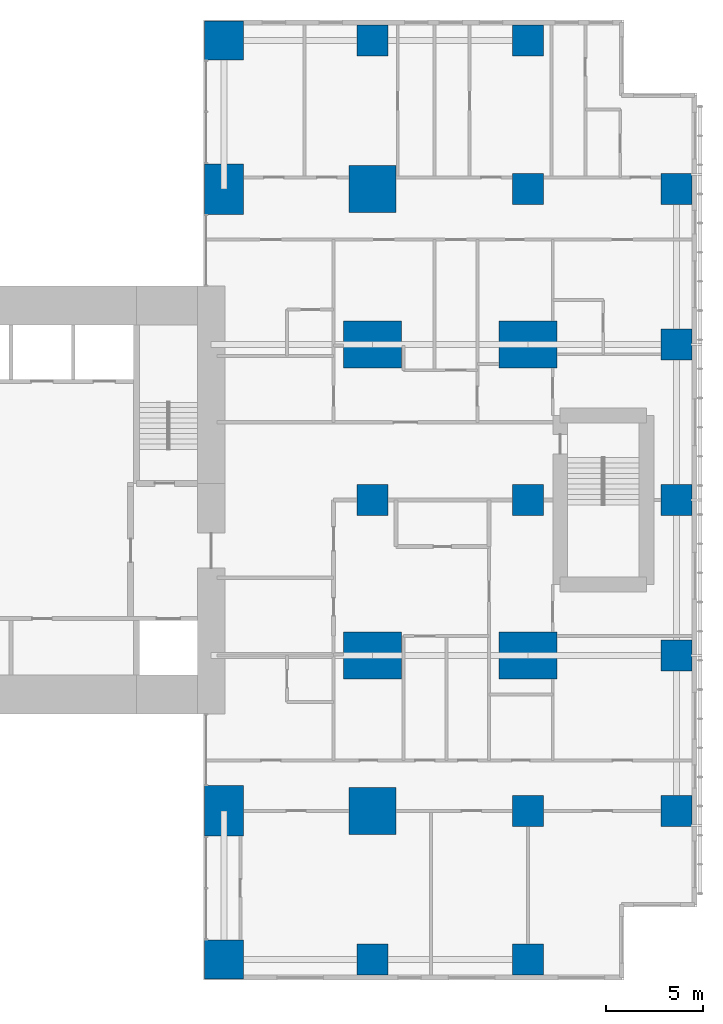
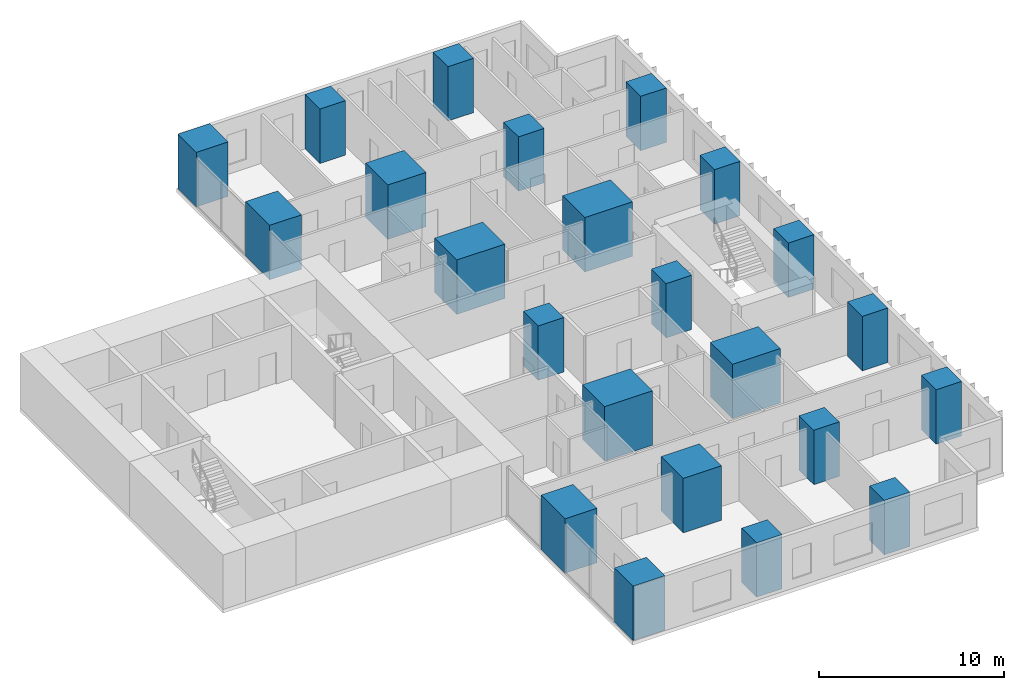
# One storey, part 1 of 12: 23 columns.
"""IFC4 building model written with IfcOpenShell, lengths in metres."""

from ifc_helpers import new_model, si_unit, direction, frame, origin, origin_2d, place, context, subcontext, project, spatial, rectangle, extrude, material, material_profile, profile_set, type_object, element, save


model = new_model("IFC4")

# Units and contexts
model_context = context("Model", 3, precision=1e-05, world=origin(), true_north=direction((0.0, 1.0)))
body_context = subcontext(model_context, "Body", "Model", "MODEL_VIEW")
ifc_project = project(units=[si_unit("LENGTHUNIT", "METRE"), si_unit("AREAUNIT", "SQUARE_METRE"), si_unit("VOLUMEUNIT", "CUBIC_METRE"), si_unit("PLANEANGLEUNIT", "RADIAN"), si_unit("MASSUNIT", "GRAM", prefix="KILO")], contexts=[model_context])

# Site, building, storey
site_placement = place(None, origin())
site = spatial("IfcSite", under=ifc_project, at=site_placement, CompositionType="ELEMENT")
building_placement = place(site_placement, origin())
building = spatial("IfcBuilding", under=site, at=building_placement, Name="Cleftline Residences", CompositionType="ELEMENT")
storey_placement = place(building_placement, frame((0.0, 0.0, 273.60009765625)))
storey = spatial("IfcBuildingStorey", under=building, at=storey_placement, Name="L72", CompositionType="ELEMENT", Elevation=273.60009765625)

# Columns
ifc_material_1 = material(Name="Concrete B70", Category="concrete")
ifc_material_profile_1 = material_profile(ifc_material_1, rectangle(XDim=1.60009765625, YDim=1.60009765625, at=origin_2d()))
ifc_profile_set_1 = profile_set([ifc_material_profile_1], Name="Concrete B70")
column_type_1 = type_object("IfcColumnType", Name="COLUMN RC1600X1600", PredefinedType="COLUMN", material=ifc_profile_set_1)
for number, where, z_axis, x_axis, name in (
    (1, (50.0, 0.35009765625, 0.0), (0.0, 0.0, 1.0), (1.0, 0.0, 0.0), "Column C/9"),
    (2, (50.0, 24.0, 0.0), (0.0, 0.0, 1.0), (1.0, 0.0, 0.0), "Column F/9"),
    (3, (50.0, 47.64990234375, 0.0), (0.0, 0.0, 1.0), (1.0, 0.0, 0.0), "Column J/9"),
    (4, (58.0, 0.35009765625, 0.0), (0.0, 0.0, 1.0), (1.0, 0.0, 0.0), "Column C/10"),
    (5, (58.0, 8.0, 0.0), (0.0, 0.0, 1.0), (1.0, 0.0, 0.0), "Column D/10"),
    (6, (58.0, 24.0, 0.0), (0.0, 0.0, 1.0), (1.0, 0.0, 0.0), "Column F/10"),
    (7, (58.0, 40.0, 0.0), (0.0, 0.0, 1.0), (1.0, 0.0, 0.0), "Column H/10"),
    (8, (58.0, 47.64990234375, 0.0), (0.0, 0.0, 1.0), (1.0, 0.0, 0.0), "Column J/10"),
    (9, (65.64990234375, 8.0, 0.0), (0.0, 0.0, 1.0), (1.0, 0.0, 0.0), "Column D/11"),
    (10, (65.64990234375, 16.0, 0.0), (0.0, 0.0, 1.0), (1.0, 0.0, 0.0), "Column E/11"),
    (11, (65.64990234375, 24.0, 0.0), (0.0, 0.0, 1.0), (1.0, 0.0, 0.0), "Column F/11"),
    (12, (65.64990234375, 32.0, 0.0), (0.0, 0.0, 1.0), (1.0, 0.0, 0.0), "Column G/11"),
    (13, (65.64990234375, 40.0, 0.0), (0.0, 0.0, 1.0), (1.0, 0.0, 0.0), "Column H/11"),
):
    element("IfcColumn", number, at=place(storey_placement, frame(where, z_axis=z_axis, x_axis=x_axis)), inside=storey, type_object=column_type_1, Name=name, PredefinedType="COLUMN", context=body_context, shape_type="SweptSolid", body=[
        extrude(rectangle(XDim=1.60009765625, YDim=1.60009765625, at=origin_2d()), origin(), (0.0, 0.0, 1.0), 3.599853515625),
    ])
ifc_material_2 = material(Name="Concrete B70", Category="concrete")
ifc_material_profile_2 = material_profile(ifc_material_2, rectangle(XDim=2.0, YDim=2.0, at=origin_2d()))
ifc_profile_set_2 = profile_set([ifc_material_profile_2], Name="Concrete B70")
column_type_2 = type_object("IfcColumnType", Name="COLUMN RC2000X2000", PredefinedType="COLUMN", material=ifc_profile_set_2)
for number, where, z_axis, x_axis, name in (
    (14, (42.35009765625, 0.35009765625, 0.0), (0.0, 0.0, 1.0), (1.0, 0.0, 0.0), "Column C/8"),
    (15, (42.35009765625, 47.64990234375, 0.0), (0.0, 0.0, 1.0), (1.0, 0.0, 0.0), "Column J/8"),
):
    element("IfcColumn", number, at=place(storey_placement, frame(where, z_axis=z_axis, x_axis=x_axis)), inside=storey, type_object=column_type_2, Name=name, PredefinedType="COLUMN", context=body_context, shape_type="SweptSolid", body=[
        extrude(rectangle(XDim=2.0, YDim=2.0, at=origin_2d()), origin(), (0.0, 0.0, 1.0), 3.599853515625),
    ])
ifc_material_3 = material(Name="Concrete B70", Category="concrete")
ifc_material_profile_3 = material_profile(ifc_material_3, rectangle(XDim=2.0, YDim=2.60009765625, at=origin_2d()))
ifc_profile_set_3 = profile_set([ifc_material_profile_3], Name="Concrete B70")
column_type_3 = type_object("IfcColumnType", Name="COLUMN RC2000X2600", PredefinedType="COLUMN", material=ifc_profile_set_3)
for number, where, z_axis, x_axis, name in (
    (16, (42.35009765625, 8.0, 0.0), (0.0, 0.0, 1.0), (1.0, 0.0, 0.0), "Column D/8"),
    (17, (42.35009765625, 40.0, 0.0), (0.0, 0.0, 1.0), (1.0, 0.0, 0.0), "Column H/8"),
):
    element("IfcColumn", number, at=place(storey_placement, frame(where, z_axis=z_axis, x_axis=x_axis)), inside=storey, type_object=column_type_3, Name=name, PredefinedType="COLUMN", context=body_context, shape_type="SweptSolid", body=[
        extrude(rectangle(XDim=2.0, YDim=2.60009765625, at=origin_2d()), origin(), (0.0, 0.0, 1.0), 3.599853515625),
    ])
ifc_material_4 = material(Name="Concrete B70", Category="concrete")
ifc_material_profile_4 = material_profile(ifc_material_4, rectangle(XDim=2.39990234375, YDim=2.39990234375, at=origin_2d()))
ifc_profile_set_4 = profile_set([ifc_material_profile_4], Name="Concrete B70")
column_type_4 = type_object("IfcColumnType", Name="COLUMN RC2400X2400", PredefinedType="COLUMN", material=ifc_profile_set_4)
for number, where, z_axis, x_axis, name in (
    (18, (50.0, 8.0, 0.0), (0.0, 0.0, 1.0), (1.0, 0.0, 0.0), "Column D/9"),
    (19, (50.0, 40.0, 0.0), (0.0, 0.0, 1.0), (1.0, 0.0, 0.0), "Column H/9"),
):
    element("IfcColumn", number, at=place(storey_placement, frame(where, z_axis=z_axis, x_axis=x_axis)), inside=storey, type_object=column_type_4, Name=name, PredefinedType="COLUMN", context=body_context, shape_type="SweptSolid", body=[
        extrude(rectangle(XDim=2.39990234375, YDim=2.39990234375, at=origin_2d()), origin(), (0.0, 0.0, 1.0), 3.599853515625),
    ])
ifc_material_5 = material(Name="Concrete B70", Category="concrete")
ifc_material_profile_5 = material_profile(ifc_material_5, rectangle(XDim=3.0, YDim=2.39990234375, at=origin_2d()))
ifc_profile_set_5 = profile_set([ifc_material_profile_5], Name="Concrete B70")
column_type_5 = type_object("IfcColumnType", Name="COLUMN RC3000X2400", PredefinedType="COLUMN", material=ifc_profile_set_5)
for number, where, z_axis, x_axis, name in (
    (20, (50.0, 16.0, 0.0), (0.0, 0.0, 1.0), (1.0, 0.0, 0.0), "Column E/9"),
    (21, (50.0, 32.0, 0.0), (0.0, 0.0, 1.0), (1.0, 0.0, 0.0), "Column G/9"),
    (22, (58.0, 16.0, 0.0), (0.0, 0.0, 1.0), (1.0, 0.0, 0.0), "Column E/10"),
    (23, (58.0, 32.0, 0.0), (0.0, 0.0, 1.0), (1.0, 0.0, 0.0), "Column G/10"),
):
    element("IfcColumn", number, at=place(storey_placement, frame(where, z_axis=z_axis, x_axis=x_axis)), inside=storey, type_object=column_type_5, Name=name, PredefinedType="COLUMN", context=body_context, shape_type="SweptSolid", body=[
        extrude(rectangle(XDim=3.0, YDim=2.39990234375, at=origin_2d()), origin(), (0.0, 0.0, 1.0), 3.599853515625),
    ])

save(model, "model.ifc")
